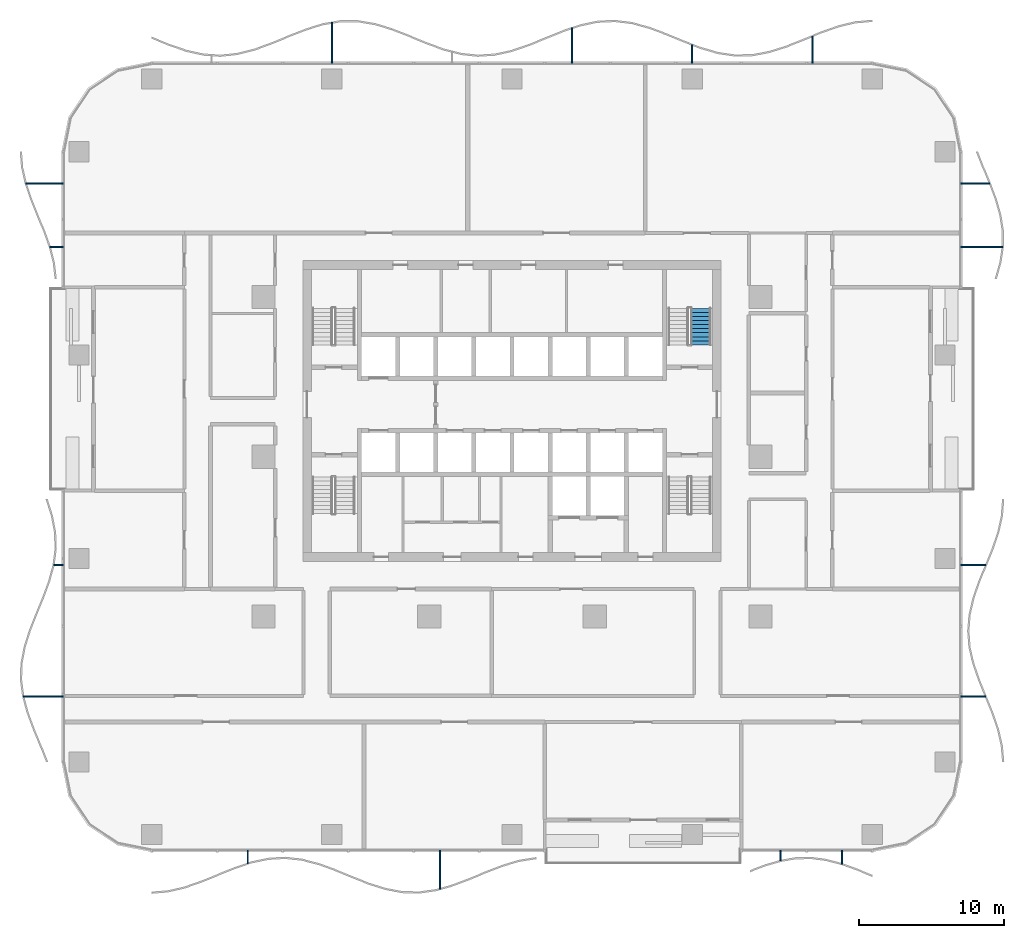
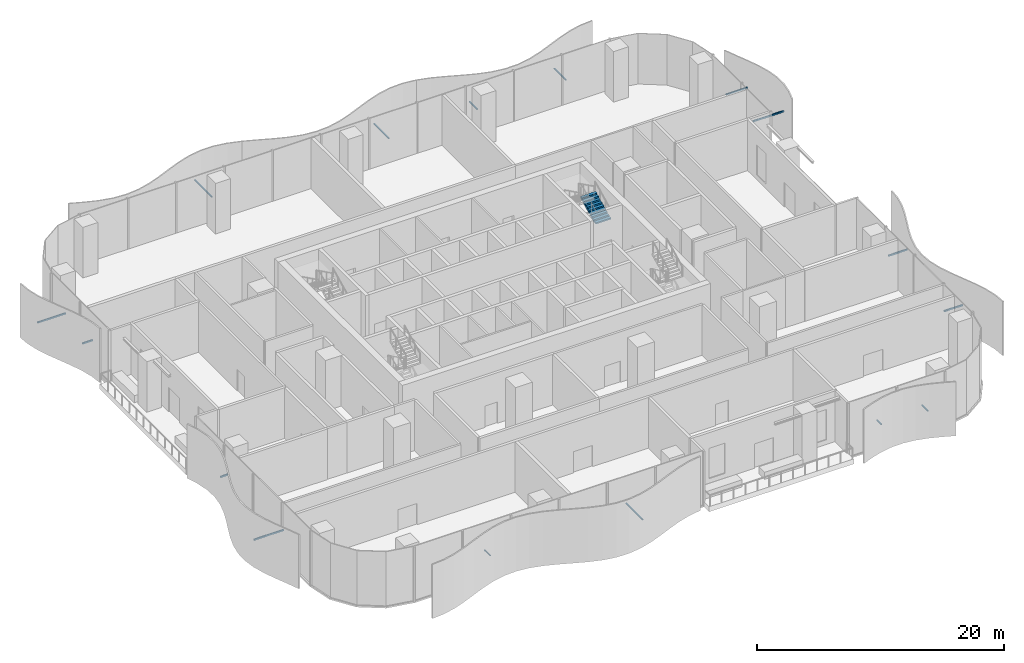
# One storey, part 12 of 20: 16 discrete accessories, 1 stair flight, 1 element without a shape of its own.
"""IFC4 building model written with IfcOpenShell, lengths in metres."""

from ifc_helpers import new_model, si_unit, direction, frame, origin, origin_2d, place, context, subcontext, project, spatial, polyline, rectangle, outline, extrude, material, type_object, element, aggregate, save


model = new_model("IFC4")

# Units and contexts
model_context = context("Model", 3, precision=1e-05, world=origin(), true_north=direction((0.0, 1.0)))
body_context = subcontext(model_context, "Body", "Model", "MODEL_VIEW")
ifc_project = project(units=[si_unit("LENGTHUNIT", "METRE"), si_unit("AREAUNIT", "SQUARE_METRE"), si_unit("VOLUMEUNIT", "CUBIC_METRE"), si_unit("PLANEANGLEUNIT", "RADIAN"), si_unit("MASSUNIT", "GRAM", prefix="KILO")], contexts=[model_context])

# Site, building, storey
site_placement = place(None, origin())
site = spatial("IfcSite", under=ifc_project, at=site_placement, CompositionType="ELEMENT")
building_placement = place(site_placement, origin())
building = spatial("IfcBuilding", under=site, at=building_placement, Name="Mopane Tessera Tower", CompositionType="ELEMENT")
storey_placement = place(building_placement, frame((0.0, 0.0, 14.5)))
storey = spatial("IfcBuildingStorey", under=building, at=storey_placement, Name="L02", CompositionType="ELEMENT", Elevation=14.5)

# Stair, stair flight
ifc_material_1 = material(Name="Concrete C50/60", Category="concrete")
stair_type = type_object("IfcStairType", Name="Escape stair 1400 mm, riser 138 mm", PredefinedType="HALF_TURN_STAIR", material=ifc_material_1)
stair_placement = place(storey_placement, origin())
stair = element("IfcStair", 1, at=stair_placement, inside=storey, type_object=stair_type, Name="L02 Escape stair north-east", PredefinedType="HALF_TURN_STAIR")
ifc_material_2 = material(Name="Concrete C50/60", Category="concrete")
stair_flight_type = type_object("IfcStairFlightType", Name="Escape stair flight 1400 mm", PredefinedType="STRAIGHT", material=ifc_material_2)
stair_flight_placement = place(storey_placement, frame((13.0, 7.699951171875, 2.75), z_axis=(0.0, 0.0, 1.0), x_axis=(0.0, 1.0, 0.0)))
stair_flight = element("IfcStairFlight", 2, at=stair_flight_placement, type_object=stair_flight_type, Name="ST4 flight 3", NumberOfRisers=10, NumberOfTreads=9, PredefinedType="STRAIGHT", RiserHeight=0.1375, TreadLength=0.28, context=body_context, shape_type="SweptSolid", body=[
    extrude(outline(polyline([(0.0, 0.0), (0.0, 0.137451171875), (0.280029296875, 0.137451171875), (0.280029296875, 0.27490234375), (0.56005859375, 0.27490234375), (0.56005859375, 0.41259765625), (0.840087890625, 0.41259765625), (0.840087890625, 0.550048828125), (1.1201171875, 0.550048828125), (1.1201171875, 0.6875), (1.39990234375, 0.6875), (1.39990234375, 0.824951171875), (1.679931640625, 0.824951171875), (1.679931640625, 0.96240234375), (1.9599609375, 0.96240234375), (1.9599609375, 1.10009765625), (2.239990234375, 1.10009765625), (2.239990234375, 1.237548828125), (2.52001953125, 1.237548828125), (2.52001953125, 1.375), (2.52001953125, 1.070556640625), (0.340087890625, 0.0), (0.0, 0.0)])), frame((0.0, 0.699951171875, 0.0), z_axis=(0.0, -1.0, 0.0), x_axis=(1.0, 0.0, 0.0)), (0.0, 0.0, 1.0), 1.39990234375),
])
aggregate(stair, [stair_flight])

# Discrete accessories
ifc_material_3 = material(Name="Stainless steel S316", Category="steel")
discrete_accessory_type = type_object("IfcDiscreteAccessoryType", Name="Louvre bracket 100 x 100", PredefinedType="BRACKET", material=ifc_material_3)
discrete_accessory_1_placement = place(storey_placement, frame((-18.186279296875, -27.536376953125, 2.280029296875), z_axis=(0.0, 0.0, 1.0), x_axis=(0.0, -1.0, 0.0)))
element("IfcDiscreteAccessory", 3, at=discrete_accessory_1_placement, inside=storey, type_object=discrete_accessory_type, Name="e:lv:L02:S:0:br0", PredefinedType="BRACKET", context=body_context, shape_type="SweptSolid", body=[
    extrude(rectangle(XDim=0.912841796875, YDim=0.10009765625, at=origin_2d()), origin(), (0.0, 0.0, 1.0), 0.10009765625),
])
discrete_accessory_2_placement = place(storey_placement, frame((-4.958984375, -28.42041015625, 2.280029296875), z_axis=(0.0, 0.0, 1.0), x_axis=(0.0, -1.0, 0.0)))
element("IfcDiscreteAccessory", 4, at=discrete_accessory_2_placement, inside=storey, type_object=discrete_accessory_type, Name="e:lv:L02:S:0:br1", PredefinedType="BRACKET", context=body_context, shape_type="SweptSolid", body=[
    extrude(rectangle(XDim=2.6806640625, YDim=0.10009765625, at=origin_2d()), origin(), (0.0, 0.0, 1.0), 0.10009765625),
])
discrete_accessory_3_placement = place(storey_placement, frame((18.486328125, -27.444091796875, 2.280029296875), z_axis=(0.0, 0.0, 1.0), x_axis=(0.0, -1.0, 0.0)))
element("IfcDiscreteAccessory", 5, at=discrete_accessory_3_placement, inside=storey, type_object=discrete_accessory_type, Name="e:lv:L02:S:1:br0", PredefinedType="BRACKET", context=body_context, shape_type="SweptSolid", body=[
    extrude(rectangle(XDim=0.728271484375, YDim=0.10009765625, at=origin_2d()), origin(), (0.0, 0.0, 1.0), 0.10009765625),
])
discrete_accessory_4_placement = place(storey_placement, frame((22.695556640625, -27.5537109375, 2.280029296875), z_axis=(0.0, 0.0, 1.0), x_axis=(0.0, -1.0, 0.0)))
element("IfcDiscreteAccessory", 6, at=discrete_accessory_4_placement, inside=storey, type_object=discrete_accessory_type, Name="e:lv:L02:S:1:br1", PredefinedType="BRACKET", context=body_context, shape_type="SweptSolid", body=[
    extrude(rectangle(XDim=0.947265625, YDim=0.10009765625, at=origin_2d()), origin(), (0.0, 0.0, 1.0), 0.10009765625),
])
discrete_accessory_5_placement = place(storey_placement, frame((31.736572265625, -16.4833984375, 2.280029296875), z_axis=(0.0, 0.0, 1.0), x_axis=(1.0, 0.0, 0.0)))
element("IfcDiscreteAccessory", 7, at=discrete_accessory_5_placement, inside=storey, type_object=discrete_accessory_type, Name="e:lv:L02:E:0:br0", PredefinedType="BRACKET", context=body_context, shape_type="SweptSolid", body=[
    extrude(rectangle(XDim=1.713134765625, YDim=0.10009765625, at=origin_2d()), origin(), (0.0, 0.0, 1.0), 0.10009765625),
])
discrete_accessory_6_placement = place(storey_placement, frame((31.75048828125, -7.449951171875, 2.280029296875), z_axis=(0.0, 0.0, 1.0), x_axis=(1.0, 0.0, 0.0)))
element("IfcDiscreteAccessory", 8, at=discrete_accessory_6_placement, inside=storey, type_object=discrete_accessory_type, Name="e:lv:L02:E:0:br1", PredefinedType="BRACKET", context=body_context, shape_type="SweptSolid", body=[
    extrude(rectangle(XDim=1.740966796875, YDim=0.10009765625, at=origin_2d()), origin(), (0.0, 0.0, 1.0), 0.10009765625),
])
discrete_accessory_7_placement = place(storey_placement, frame((32.328857421875, 14.449951171875, 2.280029296875), z_axis=(0.0, 0.0, 1.0), x_axis=(1.0, 0.0, 0.0)))
element("IfcDiscreteAccessory", 9, at=discrete_accessory_7_placement, inside=storey, type_object=discrete_accessory_type, Name="e:lv:L02:E:1:br0", PredefinedType="BRACKET", context=body_context, shape_type="SweptSolid", body=[
    extrude(rectangle(XDim=2.89794921875, YDim=0.10009765625, at=origin_2d()), origin(), (0.0, 0.0, 1.0), 0.10009765625),
])
discrete_accessory_8_placement = place(storey_placement, frame((31.8818359375, 18.816650390625, 2.280029296875), z_axis=(0.0, 0.0, 1.0), x_axis=(1.0, 0.0, 0.0)))
element("IfcDiscreteAccessory", 10, at=discrete_accessory_8_placement, inside=storey, type_object=discrete_accessory_type, Name="e:lv:L02:E:1:br1", PredefinedType="BRACKET", context=body_context, shape_type="SweptSolid", body=[
    extrude(rectangle(XDim=2.00341796875, YDim=0.10009765625, at=origin_2d()), origin(), (0.0, 0.0, 1.0), 0.10009765625),
])
discrete_accessory_9_placement = place(storey_placement, frame((20.666748046875, 28.0166015625, 2.280029296875), z_axis=(0.0, 0.0, 1.0), x_axis=(0.0, 1.0, 0.0)))
element("IfcDiscreteAccessory", 11, at=discrete_accessory_9_placement, inside=storey, type_object=discrete_accessory_type, Name="e:lv:L02:N:0:br0", PredefinedType="BRACKET", context=body_context, shape_type="SweptSolid", body=[
    extrude(rectangle(XDim=1.873291015625, YDim=0.10009765625, at=origin_2d()), origin(), (0.0, 0.0, 1.0), 0.10009765625),
])
discrete_accessory_10_placement = place(storey_placement, frame((12.39990234375, 27.71533203125, 2.280029296875), z_axis=(0.0, 0.0, 1.0), x_axis=(0.0, 1.0, 0.0)))
element("IfcDiscreteAccessory", 12, at=discrete_accessory_10_placement, inside=storey, type_object=discrete_accessory_type, Name="e:lv:L02:N:0:br1", PredefinedType="BRACKET", context=body_context, shape_type="SweptSolid", body=[
    extrude(rectangle(XDim=1.2705078125, YDim=0.10009765625, at=origin_2d()), origin(), (0.0, 0.0, 1.0), 0.10009765625),
])
discrete_accessory_11_placement = place(storey_placement, frame((4.13330078125, 28.29833984375, 2.280029296875), z_axis=(0.0, 0.0, 1.0), x_axis=(0.0, 1.0, 0.0)))
element("IfcDiscreteAccessory", 13, at=discrete_accessory_11_placement, inside=storey, type_object=discrete_accessory_type, Name="e:lv:L02:N:1:br0", PredefinedType="BRACKET", context=body_context, shape_type="SweptSolid", body=[
    extrude(rectangle(XDim=2.4365234375, YDim=0.10009765625, at=origin_2d()), origin(), (0.0, 0.0, 1.0), 0.10009765625),
])
discrete_accessory_12_placement = place(storey_placement, frame((-12.39990234375, 28.488037109375, 2.280029296875), z_axis=(0.0, 0.0, 1.0), x_axis=(0.0, 1.0, 0.0)))
element("IfcDiscreteAccessory", 14, at=discrete_accessory_12_placement, inside=storey, type_object=discrete_accessory_type, Name="e:lv:L02:N:2:br0", PredefinedType="BRACKET", context=body_context, shape_type="SweptSolid", body=[
    extrude(rectangle(XDim=2.816162109375, YDim=0.10009765625, at=origin_2d()), origin(), (0.0, 0.0, 1.0), 0.10009765625),
])
discrete_accessory_13_placement = place(storey_placement, frame((-32.174072265625, 18.816650390625, 2.280029296875), z_axis=(0.0, 0.0, 1.0), x_axis=(-1.0, 0.0, 0.0)))
element("IfcDiscreteAccessory", 15, at=discrete_accessory_13_placement, inside=storey, type_object=discrete_accessory_type, Name="e:lv:L02:W:0:br0", PredefinedType="BRACKET", context=body_context, shape_type="SweptSolid", body=[
    extrude(rectangle(XDim=2.588134765625, YDim=0.10009765625, at=origin_2d()), origin(), (0.0, 0.0, 1.0), 0.10009765625),
])
discrete_accessory_14_placement = place(storey_placement, frame((-31.346435546875, 14.449951171875, 2.280029296875), z_axis=(0.0, 0.0, 1.0), x_axis=(-1.0, 0.0, 0.0)))
element("IfcDiscreteAccessory", 16, at=discrete_accessory_14_placement, inside=storey, type_object=discrete_accessory_type, Name="e:lv:L02:W:0:br1", PredefinedType="BRACKET", context=body_context, shape_type="SweptSolid", body=[
    extrude(rectangle(XDim=0.9326171875, YDim=0.10009765625, at=origin_2d()), origin(), (0.0, 0.0, 1.0), 0.10009765625),
])
discrete_accessory_15_placement = place(storey_placement, frame((-31.21533203125, -7.449951171875, 2.280029296875), z_axis=(0.0, 0.0, 1.0), x_axis=(-1.0, 0.0, 0.0)))
element("IfcDiscreteAccessory", 17, at=discrete_accessory_15_placement, inside=storey, type_object=discrete_accessory_type, Name="e:lv:L02:W:1:br0", PredefinedType="BRACKET", context=body_context, shape_type="SweptSolid", body=[
    extrude(rectangle(XDim=0.67041015625, YDim=0.10009765625, at=origin_2d()), origin(), (0.0, 0.0, 1.0), 0.10009765625),
])
discrete_accessory_16_placement = place(storey_placement, frame((-32.26123046875, -16.4833984375, 2.280029296875), z_axis=(0.0, 0.0, 1.0), x_axis=(-1.0, 0.0, 0.0)))
element("IfcDiscreteAccessory", 18, at=discrete_accessory_16_placement, inside=storey, type_object=discrete_accessory_type, Name="e:lv:L02:W:1:br1", PredefinedType="BRACKET", context=body_context, shape_type="SweptSolid", body=[
    extrude(rectangle(XDim=2.7626953125, YDim=0.10009765625, at=origin_2d()), origin(), (0.0, 0.0, 1.0), 0.10009765625),
])

save(model, "model.ifc")
